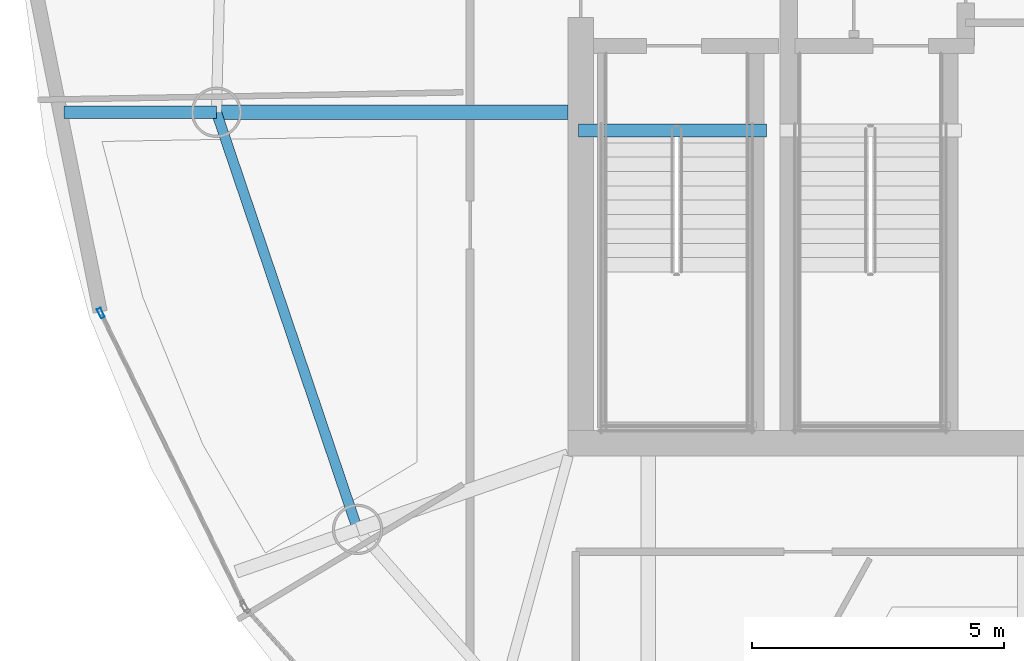
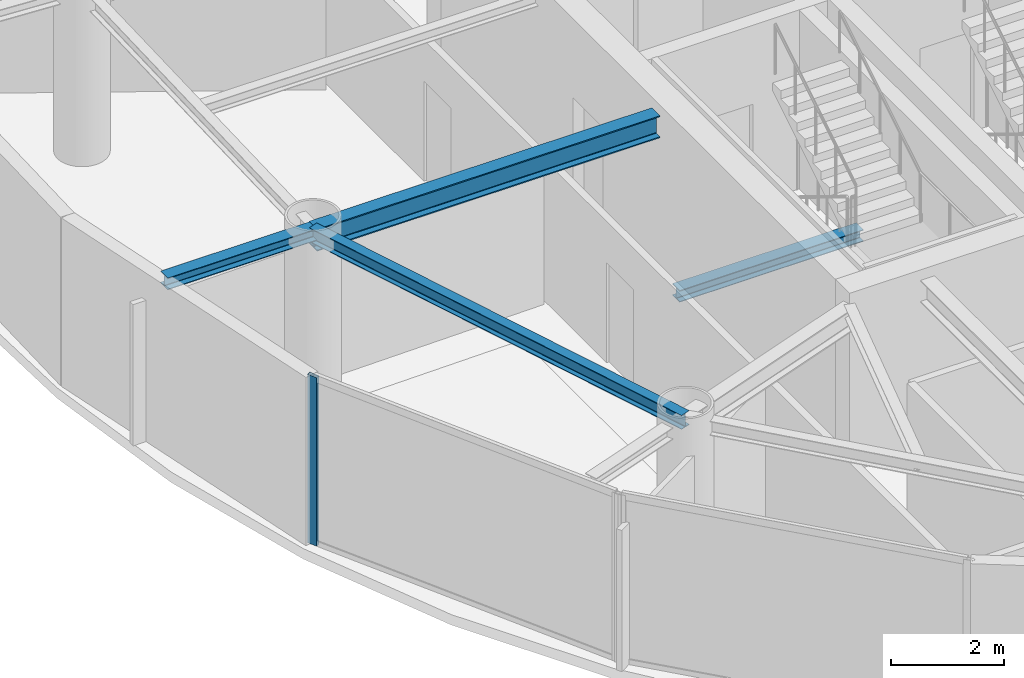
# One storey, part 6 of 21: 4 beams, 1 member, 1 element without a shape of its own.
"""IFC4 building model written with IfcOpenShell, lengths in metres."""

from ifc_helpers import new_model, si_unit, direction, frame, origin, origin_2d, place, context, subcontext, project, spatial, hollow_rectangle, i_section, extrude, material, layer, layer_set, material_profile, profile_set, type_object, element, aggregate, save


model = new_model("IFC4")

# Units and contexts
model_context = context("Model", 3, precision=1e-05, world=origin(), true_north=direction((0.0, 1.0)))
body_context = subcontext(model_context, "Body", "Model", "MODEL_VIEW")
ifc_project = project(units=[si_unit("LENGTHUNIT", "METRE"), si_unit("AREAUNIT", "SQUARE_METRE"), si_unit("VOLUMEUNIT", "CUBIC_METRE"), si_unit("PLANEANGLEUNIT", "RADIAN"), si_unit("MASSUNIT", "GRAM", prefix="KILO")], contexts=[model_context])

# Site, building, storey
site_placement = place(None, origin())
site = spatial("IfcSite", under=ifc_project, at=site_placement, CompositionType="ELEMENT")
building_placement = place(site_placement, origin())
building = spatial("IfcBuilding", under=site, at=building_placement, Name="Bramvorn Convention Spire", CompositionType="ELEMENT")
storey_placement = place(building_placement, frame((0.0, 0.0, 257.449951171875)))
storey = spatial("IfcBuildingStorey", under=building, at=storey_placement, Name="L65", CompositionType="ELEMENT", Elevation=257.449951171875)

# Beams
ifc_material_1 = material(Name="Steel CSA G40.21 Grade 350 (350W)", Category="steel")
ifc_material_profile_1 = material_profile(ifc_material_1, i_section(OverallWidth=0.25390625, OverallDepth=0.2529296875, WebThickness=0.008544921875, FlangeThickness=0.01416015625, FilletRadius=0.011962890625, at=origin_2d()))
ifc_profile_set_1 = profile_set([ifc_material_profile_1], Name="Steel CSA G40.21 Grade 350 (350W) - W250X73")
beam_type_1 = type_object("IfcBeamType", Name="BM-W250X73", PredefinedType="BEAM", material=ifc_profile_set_1)
beam_1_placement = place(storey_placement, frame((19.765380859375, 25.37060546875, 3.49853515625), z_axis=(-1.0, 0.0, 0.0), x_axis=(0.0, -1.0, 0.0)))
element("IfcBeam", 1, at=beam_1_placement, inside=storey, type_object=beam_type_1, Name="L65 slab-edge cantilever tip beam MC12", PredefinedType="BEAM", context=body_context, shape_type="SweptSolid", body=[
    extrude(i_section(OverallWidth=0.25390625, OverallDepth=0.2529296875, WebThickness=0.008544921875, FlangeThickness=0.01416015625, FilletRadius=0.011962890625, at=origin_2d()), origin(), (0.0, 0.0, 1.0), 3.030029296875),
])
beam_2_placement = place(storey_placement, frame((26.949951171875, 25.010009765625, -0.12646484375), z_axis=(1.0, 0.0, 0.0), x_axis=(0.0, 1.0, 0.0)))
element("IfcBeam", 2, at=beam_2_placement, inside=storey, type_object=beam_type_1, Name="L65 ST1 stair arrival header beam", PredefinedType="BEAM", context=body_context, shape_type="SweptSolid", body=[
    extrude(i_section(OverallWidth=0.25390625, OverallDepth=0.2529296875, WebThickness=0.008544921875, FlangeThickness=0.01416015625, FilletRadius=0.011962890625, at=origin_2d()), origin(), (0.0, 0.0, 1.0), 3.739990234375),
])
ifc_material_profile_2 = material_profile(ifc_material_1, i_section(OverallWidth=0.202880859375, OverallDepth=0.302978515625, WebThickness=0.007568359375, FlangeThickness=0.01318359375, FilletRadius=0.013916015625, at=origin_2d()))
ifc_profile_set_2 = profile_set([ifc_material_profile_2], Name="Steel CSA G40.21 Grade 350 (350W) - W310X60")
beam_type_2 = type_object("IfcBeamType", Name="BM-W310X60", PredefinedType="JOIST", material=ifc_profile_set_2)
beam_3_placement = place(storey_placement, frame((19.765380859375, 25.37060546875, 3.4736328125), z_axis=(0.320531023763, -0.947238018032, 0.0), x_axis=(0.947238018032, 0.320531023763, 0.0)))
element("IfcBeam", 3, at=beam_3_placement, inside=storey, type_object=beam_type_2, Name="L65 mega-column ring beam 12", PredefinedType="JOIST", context=body_context, shape_type="SweptSolid", body=[
    extrude(i_section(OverallWidth=0.202880859375, OverallDepth=0.302978515625, WebThickness=0.007568359375, FlangeThickness=0.01318359375, FilletRadius=0.013916015625, at=origin_2d()), origin(), (0.0, 0.0, 1.0), 8.74169921875),
])
ifc_material_profile_3 = material_profile(ifc_material_1, i_section(OverallWidth=0.283935546875, OverallDepth=0.47607421875, WebThickness=0.014892578125, FlangeThickness=0.02392578125, FilletRadius=0.01806640625, at=origin_2d()))
ifc_profile_set_3 = profile_set([ifc_material_profile_3], Name="Steel CSA G40.21 Grade 350 (350W) - W460X158")
beam_type_3 = type_object("IfcBeamType", Name="BM-W460X158", PredefinedType="SPANDREL", material=ifc_profile_set_3)
beam_4_placement = place(storey_placement, frame((26.75, 25.37060546875, 3.386962890625), z_axis=(-1.0, 0.0, 0.0), x_axis=(0.0, -1.0, 0.0)))
element("IfcBeam", 4, at=beam_4_placement, inside=storey, type_object=beam_type_3, Name="L65 radial floor girder MC12", PredefinedType="SPANDREL", context=body_context, shape_type="SweptSolid", body=[
    extrude(i_section(OverallWidth=0.283935546875, OverallDepth=0.47607421875, WebThickness=0.014892578125, FlangeThickness=0.02392578125, FilletRadius=0.01806640625, at=origin_2d()), origin(), (0.0, 0.0, 1.0), 6.984619140625),
])

# Curtain wall, member
ifc_material_2 = material(Name="Anodised Bronze Unitised Curtain Wall", Category="aluminium")
ifc_layer = layer(ifc_material_2, 0.179931640625)
ifc_layer_set = layer_set([ifc_layer], Name="Anodised Bronze Unitised Curtain Wall - CW-OFF-FRIT")
curtain_wall_type = type_object("IfcCurtainWallType", Name="CW-OFF-FRIT", PredefinedType="USERDEFINED", material=ifc_layer_set)
curtain_wall_placement = place(storey_placement, origin())
curtain_wall = element("IfcCurtainWall", 5, at=curtain_wall_placement, inside=storey, type_object=curtain_wall_type, Name="L65 fritted glass curtain wall 18", ObjectType="UNITISED CURTAIN WALL", PredefinedType="USERDEFINED")
ifc_material_3 = material(Name="Anodised Bronze Aluminium 6063-T6", Category="aluminium")
ifc_material_profile_4 = material_profile(ifc_material_3, hollow_rectangle(XDim=0.080078125, YDim=0.199951171875, WallThickness=0.00390625, InnerFilletRadius=0.0009765625, OuterFilletRadius=0.00390625, at=origin_2d()))
ifc_profile_set_4 = profile_set([ifc_material_profile_4], Name="Anodised Bronze Aluminium 6063-T6 - CWM80X200")
member_type = type_object("IfcMemberType", Name="CW-MUL-180", PredefinedType="MULLION", material=ifc_profile_set_4)
member_placement = place(storey_placement, frame((17.470703125, 21.383544921875, 0.0), z_axis=(0.0, 0.0, 1.0), x_axis=(-0.898263821877, -0.439456603439, 0.0)))
member = element("IfcMember", 6, at=member_placement, type_object=member_type, Name="CW3 mullion 2", PredefinedType="MULLION", context=body_context, shape_type="SweptSolid", body=[
    extrude(hollow_rectangle(XDim=0.080078125, YDim=0.199951171875, WallThickness=0.00390625, InnerFilletRadius=0.0009765625, OuterFilletRadius=0.00390625, at=origin_2d()), origin(), (0.0, 0.0, 1.0), 3.625),
])
aggregate(curtain_wall, [member])

save(model, "model.ifc")
